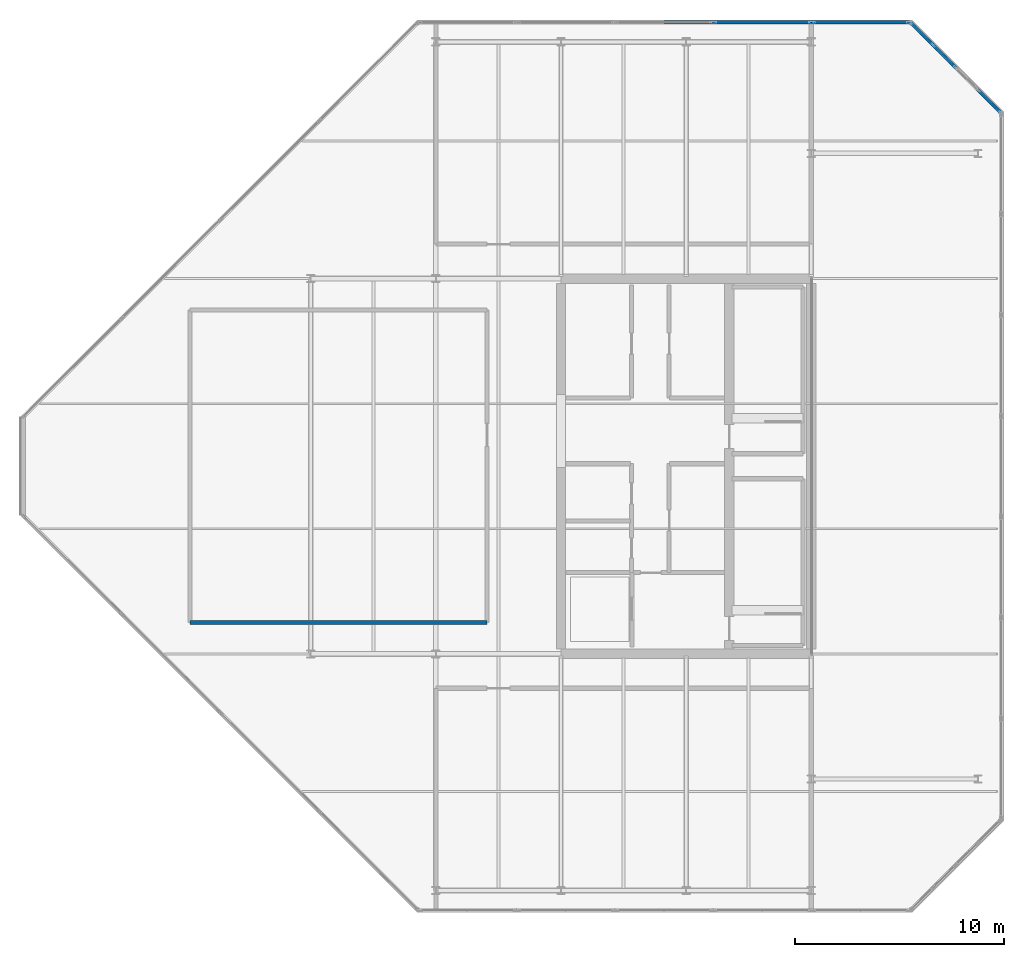
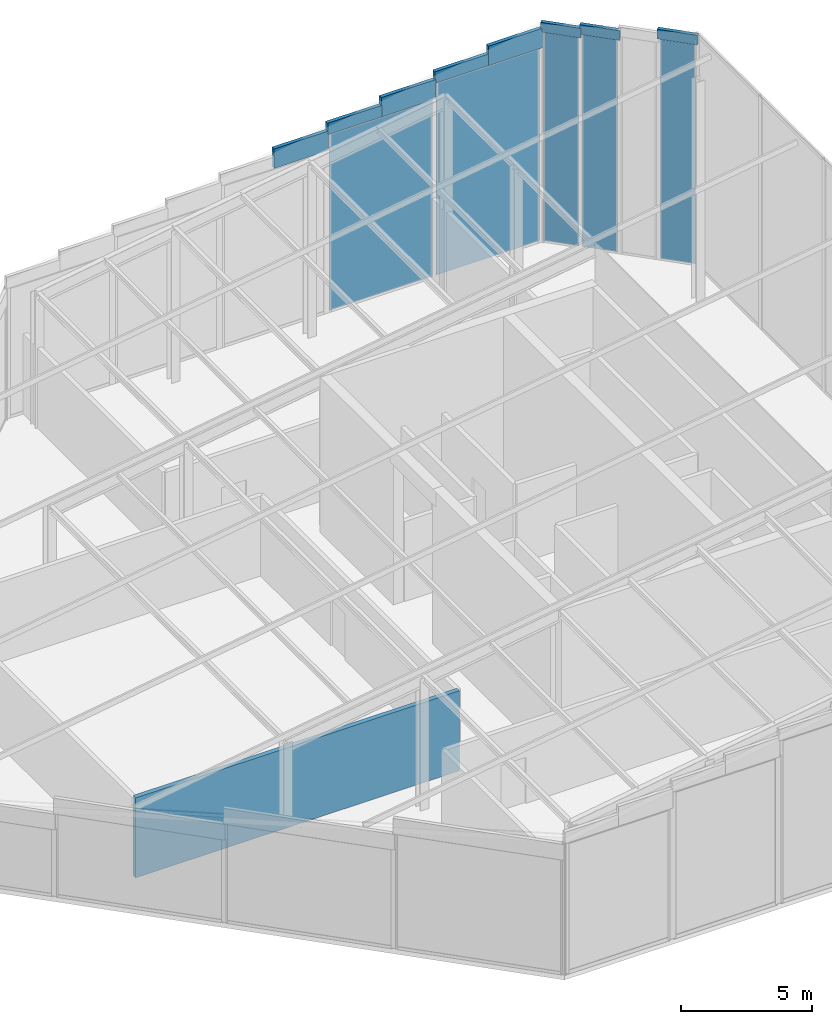
# One storey, part 23 of 30: 13 plates, 1 wall, 5 elements without a shape of their own.
"""IFC4 building model written with IfcOpenShell, lengths in metres."""

from ifc_helpers import new_model, si_unit, direction, frame, frame_2d, origin, origin_2d, place, context, subcontext, project, spatial, rectangle, extrude, material, layer, layer_set, type_object, element, aggregate, save


model = new_model("IFC4")

# Units and contexts
model_context = context("Model", 3, precision=1e-05, world=origin(), true_north=direction((0.0, 1.0)))
body_context = subcontext(model_context, "Body", "Model", "MODEL_VIEW")
ifc_project = project(units=[si_unit("LENGTHUNIT", "METRE"), si_unit("AREAUNIT", "SQUARE_METRE"), si_unit("VOLUMEUNIT", "CUBIC_METRE"), si_unit("PLANEANGLEUNIT", "RADIAN"), si_unit("MASSUNIT", "GRAM", prefix="KILO")], contexts=[model_context])

# Site, building, storey
site_placement = place(None, origin())
site = spatial("IfcSite", under=ifc_project, at=site_placement, CompositionType="ELEMENT")
building_placement = place(site_placement, origin())
building = spatial("IfcBuilding", under=site, at=building_placement, Name="Tanjung Sevakor Pilgrim Tower", CompositionType="ELEMENT")
storey_placement = place(building_placement, frame((0.0, 0.0, 287.760009765625)))
storey = spatial("IfcBuildingStorey", under=building, at=storey_placement, Name="L80", CompositionType="ELEMENT", Elevation=287.760009765625)

# Plates
ifc_material_1 = material(Name="Laminated Solar-Control Roof Glazing", Category="glass")
ifc_layer_1 = layer(ifc_material_1, 0.044921875)
ifc_layer_set_1 = layer_set([ifc_layer_1], Name="TYPE-CRN-GLZROOF")
plate_type_1 = type_object("IfcPlateType", Name="TYPE-CRN-GLZROOF", PredefinedType="USERDEFINED", material=ifc_layer_set_1)
for number, where, z_axis, x_axis, name in (
    (1, (98.548095703125, 51.096435546875, 10.312255859375), (0.0, 0.0, 1.0), (-0.707106781187, 0.707106781187, 0.0), "L80 Sloped Chamfer Glass Panel 3-1"),
    (2, (96.38037109375, 53.26416015625, 9.9716796875), (0.0, 0.0, 1.0), (-0.707106781187, 0.707106781187, 0.0), "L80 Sloped Chamfer Glass Panel 3-3"),
    (3, (95.29638671875, 54.34814453125, 9.801513671875), (0.0, 0.0, 1.0), (-0.707106781187, 0.707106781187, 0.0), "L80 Sloped Chamfer Glass Panel 3-4"),
):
    element("IfcPlate", number, at=place(storey_placement, frame(where, z_axis=z_axis, x_axis=x_axis)), inside=storey, type_object=plate_type_1, Name=name, ObjectType="ROOF_GLAZING", PredefinedType="USERDEFINED", context=body_context, shape_type="SweptSolid", body=[
        extrude(rectangle(XDim=1.593017578125, YDim=0.159912109375, at=origin_2d()), origin(), (0.0, 0.0, 1.0), 0.4453125),
    ])
plate_1_placement = place(storey_placement, frame((93.555908203125, 54.889892578125, 9.06787109375), z_axis=(0.0, 0.0, 1.0), x_axis=(-1.0, 0.0, 0.0)))
element("IfcPlate", 4, at=plate_1_placement, inside=storey, type_object=plate_type_1, Name="L80 Sloped Glass Gable Panel 4-1-1", ObjectType="ROOF_GLAZING", PredefinedType="USERDEFINED", context=body_context, shape_type="SweptSolid", body=[
    extrude(rectangle(XDim=2.39697265625, YDim=0.159912109375, at=origin_2d()), origin(), (0.0, 0.0, 1.0), 0.905517578125),
])
plate_2_placement = place(storey_placement, frame((91.19921875, 54.889892578125, 9.06787109375), z_axis=(0.0, 0.0, 1.0), x_axis=(-1.0, 0.0, 0.0)))
element("IfcPlate", 5, at=plate_2_placement, inside=storey, type_object=plate_type_1, Name="L80 Sloped Glass Gable Panel 4-1-2", ObjectType="ROOF_GLAZING", PredefinedType="USERDEFINED", context=body_context, shape_type="SweptSolid", body=[
    extrude(rectangle(XDim=2.39697265625, YDim=0.159912109375, at=origin_2d()), origin(), (0.0, 0.0, 1.0), 0.53515625),
])
plate_3_placement = place(storey_placement, frame((88.84228515625, 54.889892578125, 8.3271484375), z_axis=(0.0, 0.0, 1.0), x_axis=(-1.0, 0.0, 0.0)))
element("IfcPlate", 6, at=plate_3_placement, inside=storey, type_object=plate_type_1, Name="L80 Sloped Glass Gable Panel 4-2-1", ObjectType="ROOF_GLAZING", PredefinedType="USERDEFINED", context=body_context, shape_type="SweptSolid", body=[
    extrude(rectangle(XDim=2.39697265625, YDim=0.159912109375, at=origin_2d()), origin(), (0.0, 0.0, 1.0), 0.905517578125),
])
plate_4_placement = place(storey_placement, frame((86.4853515625, 54.889892578125, 8.3271484375), z_axis=(0.0, 0.0, 1.0), x_axis=(-1.0, 0.0, 0.0)))
element("IfcPlate", 7, at=plate_4_placement, inside=storey, type_object=plate_type_1, Name="L80 Sloped Glass Gable Panel 4-2-2", ObjectType="ROOF_GLAZING", PredefinedType="USERDEFINED", context=body_context, shape_type="SweptSolid", body=[
    extrude(rectangle(XDim=2.39697265625, YDim=0.159912109375, at=origin_2d()), origin(), (0.0, 0.0, 1.0), 0.53515625),
])
plate_5_placement = place(storey_placement, frame((84.12841796875, 54.889892578125, 7.58642578125), z_axis=(0.0, 0.0, 1.0), x_axis=(-1.0, 0.0, 0.0)))
element("IfcPlate", 8, at=plate_5_placement, inside=storey, type_object=plate_type_1, Name="L80 Sloped Glass Gable Panel 4-3-1", ObjectType="ROOF_GLAZING", PredefinedType="USERDEFINED", context=body_context, shape_type="SweptSolid", body=[
    extrude(rectangle(XDim=2.39697265625, YDim=0.159912109375, at=origin_2d()), origin(), (0.0, 0.0, 1.0), 0.905517578125),
])

# Curtain wall, plate
ifc_material_2 = material(Name="Aluminium 6063-T6 and Low-E Glass", Category="aluminium")
ifc_layer_2 = layer(ifc_material_2, 0.179931640625)
ifc_layer_set_2 = layer_set([ifc_layer_2], Name="CW-SYS-CHAM")
curtain_wall_type_1 = type_object("IfcCurtainWallType", Name="CW-SYS-CHAM", PredefinedType="NOTDEFINED", material=ifc_layer_set_2)
curtain_wall_1_placement = place(storey_placement, origin())
curtain_wall_1 = element("IfcCurtainWall", 9, at=curtain_wall_1_placement, inside=storey, type_object=curtain_wall_type_1, Name="L80 Curtain Wall CW-CHM-L80-EAST-3B1", PredefinedType="NOTDEFINED")
ifc_material_3 = material(Name="Laminated Low-E Double Glazing", Category="glass")
ifc_layer_3 = layer(ifc_material_3, 0.028076171875)
ifc_layer_set_3 = layer_set([ifc_layer_3], Name="TYPE-CWP-GLZ1")
plate_type_2 = type_object("IfcPlateType", Name="TYPE-CWP-GLZ1", PredefinedType="CURTAIN_PANEL", material=ifc_layer_set_3)
plate_6_placement = place(storey_placement, frame((98.548095703125, 51.096435546875, 0.06494140625), z_axis=(0.0, 0.0, 1.0), x_axis=(-0.707106781187, 0.707106781187, 0.0)))
plate_6 = element("IfcPlate", 10, at=plate_6_placement, type_object=plate_type_2, Name="CW-CHM panel 1.1", PredefinedType="CURTAIN_PANEL", context=body_context, shape_type="SweptSolid", body=[
    extrude(rectangle(XDim=1.40283203125, YDim=0.028076171875, at=origin_2d()), origin(), (0.0, 0.0, 1.0), 10.242431640625),
])
aggregate(curtain_wall_1, [plate_6])

curtain_wall_2_placement = place(storey_placement, origin())
curtain_wall_2 = element("IfcCurtainWall", 11, at=curtain_wall_2_placement, inside=storey, type_object=curtain_wall_type_1, Name="L80 Curtain Wall CW-CHM-L80-EAST-3B3", PredefinedType="NOTDEFINED")
plate_7_placement = place(storey_placement, frame((96.38037109375, 53.26416015625, 0.06494140625), z_axis=(0.0, 0.0, 1.0), x_axis=(-0.707106781187, 0.707106781187, 0.0)))
plate_7 = element("IfcPlate", 12, at=plate_7_placement, type_object=plate_type_2, Name="CW-CHM panel 1.1", PredefinedType="CURTAIN_PANEL", context=body_context, shape_type="SweptSolid", body=[
    extrude(rectangle(XDim=1.40283203125, YDim=0.028076171875, at=origin_2d()), origin(), (0.0, 0.0, 1.0), 9.90185546875),
])
aggregate(curtain_wall_2, [plate_7])

curtain_wall_3_placement = place(storey_placement, origin())
curtain_wall_3 = element("IfcCurtainWall", 13, at=curtain_wall_3_placement, inside=storey, type_object=curtain_wall_type_1, Name="L80 Curtain Wall CW-CHM-L80-EAST-3B4", PredefinedType="NOTDEFINED")
plate_8_placement = place(storey_placement, frame((95.29638671875, 54.34814453125, 0.06494140625), z_axis=(0.0, 0.0, 1.0), x_axis=(-0.707106781187, 0.707106781187, 0.0)))
plate_8 = element("IfcPlate", 14, at=plate_8_placement, type_object=plate_type_2, Name="CW-CHM panel 1.1", PredefinedType="CURTAIN_PANEL", context=body_context, shape_type="SweptSolid", body=[
    extrude(rectangle(XDim=1.40283203125, YDim=0.028076171875, at=origin_2d()), origin(), (0.0, 0.0, 1.0), 9.7314453125),
])
aggregate(curtain_wall_3, [plate_8])

ifc_material_4 = material(Name="Aluminium 6063-T6 and Low-E Glass", Category="aluminium")
ifc_layer_4 = layer(ifc_material_4, 0.219970703125)
ifc_layer_set_4 = layer_set([ifc_layer_4], Name="CW-SYS-CRNE")
curtain_wall_type_2 = type_object("IfcCurtainWallType", Name="CW-SYS-CRNE", PredefinedType="NOTDEFINED", material=ifc_layer_set_4)
curtain_wall_4_placement = place(storey_placement, origin())
curtain_wall_4 = element("IfcCurtainWall", 15, at=curtain_wall_4_placement, inside=storey, type_object=curtain_wall_type_2, Name="L80 Curtain Wall CW-CRN-L80-EAST-4-1B1", PredefinedType="NOTDEFINED")
plate_9_placement = place(storey_placement, frame((92.37744140625, 54.889892578125, 0.080078125), z_axis=(0.0, 0.0, 1.0), x_axis=(-1.0, 0.0, 0.0)))
plate_9 = element("IfcPlate", 16, at=plate_9_placement, type_object=plate_type_2, Name="CW-CRE panel 1.1", PredefinedType="CURTAIN_PANEL", context=body_context, shape_type="SweptSolid", body=[
    extrude(rectangle(XDim=4.5537109375, YDim=0.028076171875, at=origin_2d()), origin(), (0.0, 0.0, 1.0), 8.957763671875),
])
aggregate(curtain_wall_4, [plate_9])

curtain_wall_5_placement = place(storey_placement, origin())
curtain_wall_5 = element("IfcCurtainWall", 17, at=curtain_wall_5_placement, inside=storey, type_object=curtain_wall_type_2, Name="L80 Curtain Wall CW-CRN-L80-EAST-4-1B2", PredefinedType="NOTDEFINED")
plate_10_placement = place(storey_placement, frame((87.663818359375, 54.889892578125, 0.079833984375), z_axis=(0.0, 0.0, 1.0), x_axis=(-1.0, 0.0, 0.0)))
plate_10 = element("IfcPlate", 18, at=plate_10_placement, type_object=plate_type_2, Name="CW-CRE panel 1.1", PredefinedType="CURTAIN_PANEL", context=body_context, shape_type="SweptSolid", body=[
    extrude(rectangle(XDim=4.5537109375, YDim=0.028076171875, at=origin_2d()), origin(), (0.0, 0.0, 1.0), 8.21728515625),
])
aggregate(curtain_wall_5, [plate_10])

# Wall
ifc_material_5 = material(Name="Concrete C40/50", Category="concrete")
ifc_layer_5 = layer(ifc_material_5, 0.199951171875)
ifc_layer_set_5 = layer_set([ifc_layer_5], Name="WT-FPRT-200")
wall_type = type_object("IfcWallType", Name="WT-FPRT-200", PredefinedType="SOLIDWALL", material=ifc_layer_set_5)
wall_placement = place(storey_placement, frame((60.199951171875, 26.10009765625, 0.0), z_axis=(0.0, 0.0, 1.0), x_axis=(1.0, 0.0, 0.0)))
element("IfcWall", 19, at=wall_placement, inside=storey, type_object=wall_type, Name="L80 Partition IW-L80-012", PredefinedType="SOLIDWALL", context=body_context, shape_type="SweptSolid", body=[
    extrude(rectangle(XDim=14.25, YDim=0.199951171875, at=frame_2d((7.125, 0.0))), origin(), (0.0, 0.0, 1.0), 3.719970703125),
])

save(model, "model.ifc")
